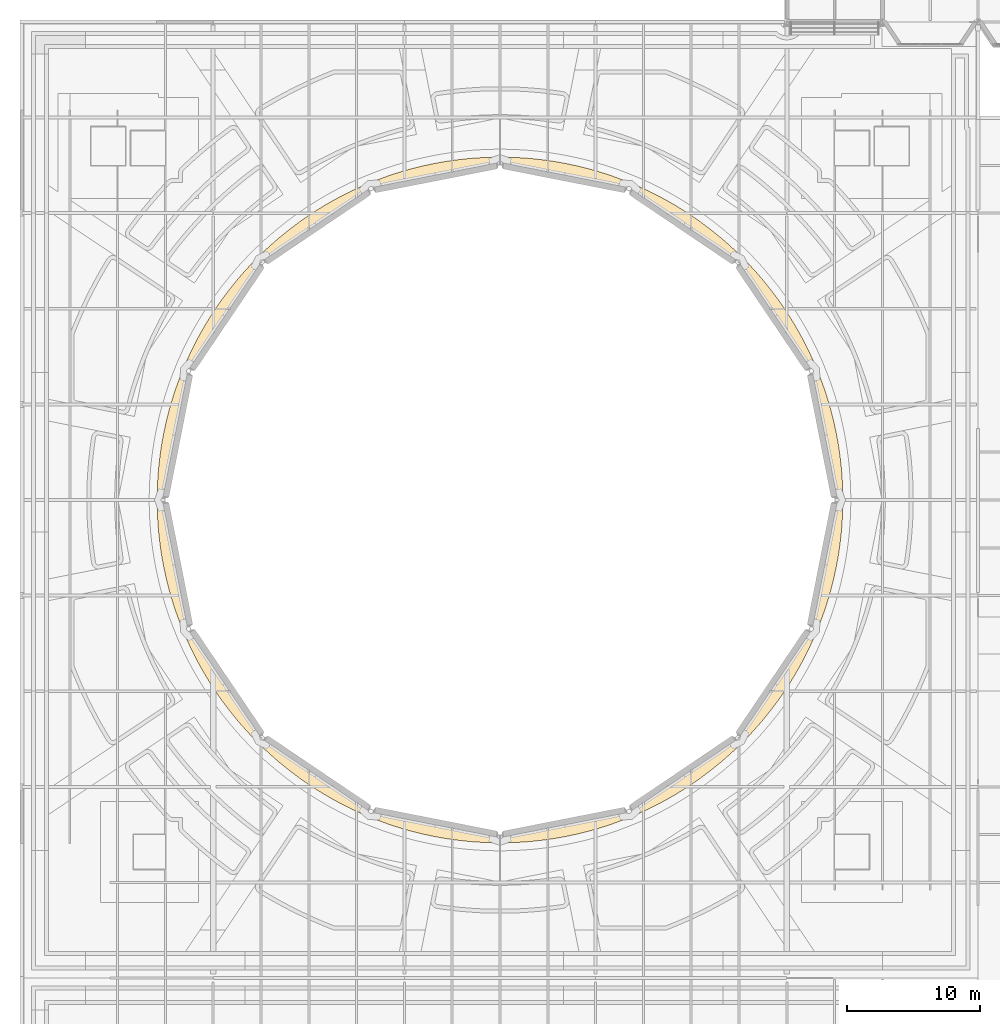
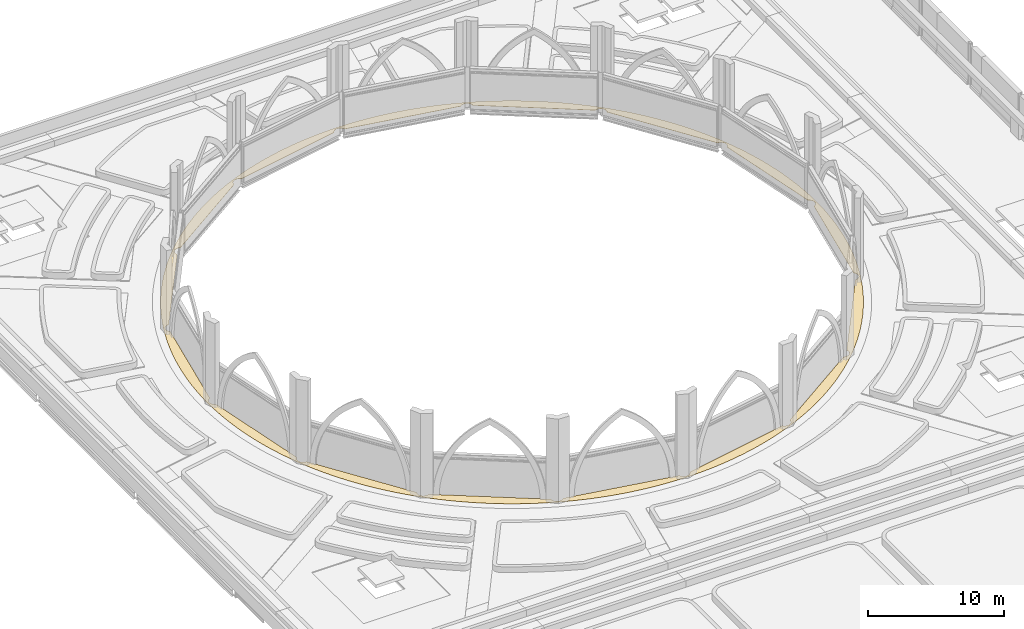
# One storey, part 90 of 110: 1 covering.
"""IFC4 building model written with IfcOpenShell, lengths in metres."""

from ifc_helpers import new_model, si_unit, direction, frame, origin, place, context, subcontext, project, spatial, polyline, outline, extrude, material, layer, layer_set, type_object, element, save


model = new_model("IFC4")

# Units and contexts
model_context = context("Model", 3, precision=1e-05, world=origin(), true_north=direction((0.0, 1.0)))
body_context = subcontext(model_context, "Body", "Model", "MODEL_VIEW")
ifc_project = project(units=[si_unit("LENGTHUNIT", "METRE"), si_unit("AREAUNIT", "SQUARE_METRE"), si_unit("VOLUMEUNIT", "CUBIC_METRE"), si_unit("PLANEANGLEUNIT", "RADIAN"), si_unit("MASSUNIT", "GRAM", prefix="KILO")], contexts=[model_context])

# Site, building, storey
site_placement = place(None, origin())
site = spatial("IfcSite", under=ifc_project, at=site_placement, CompositionType="ELEMENT")
building_placement = place(site_placement, origin())
building = spatial("IfcBuilding", under=site, at=building_placement, Name="Kupolbacken Congress Centre", CompositionType="ELEMENT")
storey_placement = place(building_placement, frame((0.0, 0.0, 18.0)))
storey = spatial("IfcBuildingStorey", under=building, at=storey_placement, Name="L05", CompositionType="ELEMENT", Elevation=18.0)

# Covering
ifc_material = material(Name="Limestone cladding", Category="masonry")
ifc_layer = layer(ifc_material, 0.02001953125)
ifc_layer_set = layer_set([ifc_layer], Name="Limestone cladding")
covering_type = type_object("IfcCoveringType", Name="GF1 limestone paving 20", PredefinedType="FLOORING", material=ifc_layer_set)
covering_placement = place(storey_placement, origin())
element("IfcCovering", 1, at=covering_placement, inside=storey, type_object=covering_type, Name="Roof walk, plenary wing roof", PredefinedType="FLOORING", context=body_context, shape_type="SweptSolid", body=[
    extrude(outline(polyline([(69.011962890625, 87.03369140625), (69.019775390625, 86.39990234375), (69.011962890625, 85.766357421875), (68.98876953125, 85.133056640625), (68.94970703125, 84.50048828125), (68.8955078125, 83.869140625), (68.82568359375, 83.239501953125), (68.740234375, 82.611328125), (68.6396484375, 81.98583984375), (68.523681640625, 81.36279296875), (68.392333984375, 80.742919921875), (68.24609375, 80.126220703125), (68.08447265625, 79.513427734375), (67.907958984375, 78.90478515625), (67.716552734375, 78.30078125), (67.510498046875, 77.70166015625), (67.289794921875, 77.107666015625), (67.054443359375, 76.519287109375), (66.8046875, 75.936767578125), (66.540771484375, 75.360595703125), (66.262939453125, 74.791015625), (65.970947265625, 74.228515625), (65.66552734375, 73.673583984375), (65.346435546875, 73.1259765625), (65.013916015625, 72.58642578125), (64.66845703125, 72.055419921875), (64.309814453125, 71.53271484375), (63.938720703125, 71.019287109375), (63.554931640625, 70.514892578125), (63.158935546875, 70.02001953125), (62.7509765625, 69.53515625), (62.331298828125, 69.060546875), (61.89990234375, 68.59619140625), (61.45751953125, 68.142578125), (61.00390625, 67.7001953125), (60.53955078125, 67.268798828125), (60.064697265625, 66.84912109375), (59.579833984375, 66.44091796875), (59.085205078125, 66.045166015625), (58.580810546875, 65.661376953125), (58.0673828125, 65.2900390625), (57.544677734375, 64.931640625), (57.013427734375, 64.586181640625), (56.47412109375, 64.253662109375), (55.926513671875, 63.9345703125), (55.371337890625, 63.62890625), (54.808837890625, 63.337158203125), (54.239501953125, 63.05908203125), (53.6630859375, 62.79541015625), (53.080810546875, 62.545654296875), (52.492431640625, 62.310302734375), (51.8984375, 62.089599609375), (51.29931640625, 61.88330078125), (50.695068359375, 61.69189453125), (50.08642578125, 61.515380859375), (49.4736328125, 61.35400390625), (48.857177734375, 61.20751953125), (48.2373046875, 61.076416015625), (47.6142578125, 60.960205078125), (46.988525390625, 60.859619140625), (46.360595703125, 60.7744140625), (45.730712890625, 60.70458984375), (45.099365234375, 60.650146484375), (44.466796875, 60.611328125), (43.83349609375, 60.587890625), (43.199951171875, 60.580078125), (42.56640625, 60.587890625), (41.93310546875, 60.611328125), (41.300537109375, 60.650146484375), (40.669189453125, 60.70458984375), (40.039306640625, 60.7744140625), (39.411376953125, 60.859619140625), (38.785888671875, 60.960205078125), (38.162841796875, 61.076416015625), (37.54296875, 61.20751953125), (36.92626953125, 61.35400390625), (36.3134765625, 61.515380859375), (35.704833984375, 61.69189453125), (35.100830078125, 61.88330078125), (34.501708984375, 62.089599609375), (33.90771484375, 62.310302734375), (33.319091796875, 62.545654296875), (32.73681640625, 62.79541015625), (32.16064453125, 63.05908203125), (31.591064453125, 63.337158203125), (31.028564453125, 63.62890625), (30.473388671875, 63.9345703125), (29.926025390625, 64.253662109375), (29.386474609375, 64.586181640625), (28.855224609375, 64.931640625), (28.332763671875, 65.2900390625), (27.819091796875, 65.661376953125), (27.314697265625, 66.045166015625), (26.820068359375, 66.44091796875), (26.335205078125, 66.84912109375), (25.860595703125, 67.268798828125), (25.396240234375, 67.7001953125), (24.942626953125, 68.142578125), (24.5, 68.59619140625), (24.06884765625, 69.060546875), (23.64892578125, 69.53515625), (23.240966796875, 70.02001953125), (22.84521484375, 70.514892578125), (22.461181640625, 71.019287109375), (22.090087890625, 71.53271484375), (21.731689453125, 72.055419921875), (21.385986328125, 72.58642578125), (21.0537109375, 73.1259765625), (20.734619140625, 73.673583984375), (20.428955078125, 74.228515625), (20.13720703125, 74.791015625), (19.859130859375, 75.360595703125), (19.59521484375, 75.936767578125), (19.345703125, 76.519287109375), (19.1103515625, 77.107666015625), (18.889404296875, 77.70166015625), (18.683349609375, 78.30078125), (18.491943359375, 78.90478515625), (18.3154296875, 79.513427734375), (18.154052734375, 80.126220703125), (18.007568359375, 80.742919921875), (17.876220703125, 81.36279296875), (17.76025390625, 81.98583984375), (17.65966796875, 82.611328125), (17.574462890625, 83.239501953125), (17.50439453125, 83.869140625), (17.4501953125, 84.50048828125), (17.411376953125, 85.133056640625), (17.387939453125, 85.766357421875), (17.380126953125, 86.39990234375), (17.387939453125, 87.03369140625), (17.411376953125, 87.6669921875), (17.4501953125, 88.29931640625), (17.50439453125, 88.930908203125), (17.574462890625, 89.560546875), (17.65966796875, 90.188720703125), (17.76025390625, 90.814208984375), (17.876220703125, 91.437255859375), (18.007568359375, 92.05712890625), (18.154052734375, 92.673583984375), (18.3154296875, 93.28662109375), (18.491943359375, 93.89501953125), (18.683349609375, 94.499267578125), (18.889404296875, 95.098388671875), (19.1103515625, 95.6923828125), (19.345703125, 96.28076171875), (19.59521484375, 96.86328125), (19.859130859375, 97.439453125), (20.13720703125, 98.0087890625), (20.428955078125, 98.5712890625), (20.734619140625, 99.12646484375), (21.0537109375, 99.674072265625), (21.385986328125, 100.21337890625), (21.731689453125, 100.74462890625), (22.090087890625, 101.267333984375), (22.461181640625, 101.78076171875), (22.84521484375, 102.28515625), (23.240966796875, 102.77978515625), (23.64892578125, 103.264892578125), (24.06884765625, 103.739501953125), (24.5, 104.203857421875), (24.942626953125, 104.657470703125), (25.396240234375, 105.099853515625), (25.860595703125, 105.53125), (26.335205078125, 105.950927734375), (26.820068359375, 106.35888671875), (27.314697265625, 106.7548828125), (27.819091796875, 107.138671875), (28.332763671875, 107.510009765625), (28.855224609375, 107.868408203125), (29.386474609375, 108.2138671875), (29.926025390625, 108.54638671875), (30.473388671875, 108.865478515625), (31.028564453125, 109.1708984375), (31.591064453125, 109.462890625), (32.16064453125, 109.74072265625), (32.73681640625, 110.004638671875), (33.319091796875, 110.25439453125), (33.90771484375, 110.48974609375), (34.501708984375, 110.71044921875), (35.100830078125, 110.91650390625), (35.704833984375, 111.10791015625), (36.3134765625, 111.284423828125), (36.92626953125, 111.446044921875), (37.54296875, 111.59228515625), (38.162841796875, 111.7236328125), (38.785888671875, 111.839599609375), (39.411376953125, 111.940185546875), (40.039306640625, 112.025634765625), (40.669189453125, 112.095458984375), (41.300537109375, 112.14990234375), (41.93310546875, 112.188720703125), (42.56640625, 112.2119140625), (43.199951171875, 112.2197265625), (43.83349609375, 112.2119140625), (44.466796875, 112.188720703125), (45.099365234375, 112.14990234375), (45.730712890625, 112.095458984375), (46.360595703125, 112.025634765625), (46.988525390625, 111.940185546875), (47.6142578125, 111.839599609375), (48.2373046875, 111.7236328125), (48.857177734375, 111.59228515625), (49.4736328125, 111.446044921875), (50.08642578125, 111.284423828125), (50.695068359375, 111.10791015625), (51.29931640625, 110.91650390625), (51.8984375, 110.71044921875), (52.492431640625, 110.48974609375), (53.080810546875, 110.25439453125), (53.6630859375, 110.004638671875), (54.239501953125, 109.74072265625), (54.808837890625, 109.462890625), (55.371337890625, 109.1708984375), (55.926513671875, 108.865478515625), (56.47412109375, 108.54638671875), (57.013427734375, 108.2138671875), (57.544677734375, 107.868408203125), (58.0673828125, 107.510009765625), (58.580810546875, 107.138671875), (59.085205078125, 106.7548828125), (59.579833984375, 106.35888671875), (60.064697265625, 105.950927734375), (60.53955078125, 105.53125), (61.00390625, 105.099853515625), (61.45751953125, 104.657470703125), (61.89990234375, 104.203857421875), (62.331298828125, 103.739501953125), (62.7509765625, 103.264892578125), (63.158935546875, 102.77978515625), (63.554931640625, 102.28515625), (63.938720703125, 101.78076171875), (64.309814453125, 101.267333984375), (64.66845703125, 100.74462890625), (65.013916015625, 100.21337890625), (65.346435546875, 99.674072265625), (65.66552734375, 99.12646484375), (65.970947265625, 98.5712890625), (66.262939453125, 98.0087890625), (66.540771484375, 97.439453125), (66.8046875, 96.86328125), (67.054443359375, 96.28076171875), (67.289794921875, 95.6923828125), (67.510498046875, 95.098388671875), (67.716552734375, 94.499267578125), (67.907958984375, 93.89501953125), (68.08447265625, 93.28662109375), (68.24609375, 92.673583984375), (68.392333984375, 92.05712890625), (68.523681640625, 91.437255859375), (68.6396484375, 90.814208984375), (68.740234375, 90.188720703125), (68.82568359375, 89.560546875), (68.8955078125, 88.930908203125), (68.94970703125, 88.29931640625), (68.98876953125, 87.6669921875), (69.011962890625, 87.03369140625)]), holes=[polyline([(25.599365234375, 68.163818359375), (33.071044921875, 63.12158203125), (33.070068359375, 63.10009765625), (33.072265625, 63.052978515625), (33.0791015625, 63.00634765625), (33.090576171875, 62.960693359375), (33.1064453125, 62.916259765625), (33.126708984375, 62.873779296875), (33.15087890625, 62.833251953125), (33.178955078125, 62.79541015625), (33.210693359375, 62.760498046875), (33.24560546875, 62.72900390625), (33.283203125, 62.700927734375), (33.32373046875, 62.676513671875), (33.3662109375, 62.656494140625), (33.41064453125, 62.640625), (33.456298828125, 62.629150390625), (33.5029296875, 62.622314453125), (33.550048828125, 62.6201171875), (33.59716796875, 62.622314453125), (33.643798828125, 62.629150390625), (33.689208984375, 62.640625), (33.733642578125, 62.656494140625), (33.7763671875, 62.676513671875), (33.816650390625, 62.700927734375), (33.8544921875, 62.72900390625), (33.889404296875, 62.760498046875), (33.903076171875, 62.775634765625), (42.750244140625, 61.03369140625), (42.756591796875, 61.016357421875), (42.776611328125, 60.9736328125), (42.80078125, 60.933349609375), (42.828857421875, 60.8955078125), (42.860595703125, 60.860595703125), (42.8955078125, 60.828857421875), (42.933349609375, 60.80078125), (42.9736328125, 60.776611328125), (43.016357421875, 60.756591796875), (43.060791015625, 60.740478515625), (43.106201171875, 60.729248046875), (43.15283203125, 60.722412109375), (43.199951171875, 60.719970703125), (43.2470703125, 60.722412109375), (43.293701171875, 60.729248046875), (43.33935546875, 60.740478515625), (43.3837890625, 60.756591796875), (43.42626953125, 60.776611328125), (43.466796875, 60.80078125), (43.50439453125, 60.828857421875), (43.539306640625, 60.860595703125), (43.571044921875, 60.8955078125), (43.59912109375, 60.933349609375), (43.623291015625, 60.9736328125), (43.6435546875, 61.016357421875), (43.649658203125, 61.03369140625), (52.496826171875, 62.775634765625), (52.510498046875, 62.760498046875), (52.54541015625, 62.72900390625), (52.583251953125, 62.700927734375), (52.623779296875, 62.676513671875), (52.666259765625, 62.656494140625), (52.710693359375, 62.640625), (52.75634765625, 62.629150390625), (52.802978515625, 62.622314453125), (52.85009765625, 62.6201171875), (52.897216796875, 62.622314453125), (52.943603515625, 62.629150390625), (52.9892578125, 62.640625), (53.03369140625, 62.656494140625), (53.076416015625, 62.676513671875), (53.11669921875, 62.700927734375), (53.154541015625, 62.72900390625), (53.189453125, 62.760498046875), (53.22119140625, 62.79541015625), (53.2490234375, 62.833251953125), (53.2734375, 62.873779296875), (53.29345703125, 62.916259765625), (53.309326171875, 62.960693359375), (53.32080078125, 63.00634765625), (53.32763671875, 63.052978515625), (53.330078125, 63.10009765625), (53.3291015625, 63.12158203125), (60.80078125, 68.163818359375), (60.81640625, 68.156494140625), (60.860595703125, 68.140625), (60.90625, 68.129150390625), (60.952880859375, 68.122314453125), (61.0, 68.1201171875), (61.047119140625, 68.122314453125), (61.09375, 68.129150390625), (61.139404296875, 68.140625), (61.18359375, 68.156494140625), (61.226318359375, 68.176513671875), (61.2666015625, 68.200927734375), (61.304443359375, 68.22900390625), (61.33935546875, 68.260498046875), (61.37109375, 68.29541015625), (61.399169921875, 68.333251953125), (61.42333984375, 68.373779296875), (61.443603515625, 68.416259765625), (61.45947265625, 68.460693359375), (61.470703125, 68.50634765625), (61.477783203125, 68.552978515625), (61.47998046875, 68.60009765625), (61.477783203125, 68.647216796875), (61.470703125, 68.693603515625), (61.45947265625, 68.7392578125), (61.443603515625, 68.78369140625), (61.43603515625, 68.79931640625), (66.478515625, 76.27099609375), (66.5, 76.27001953125), (66.547119140625, 76.272216796875), (66.59375, 76.279296875), (66.639404296875, 76.29052734375), (66.68359375, 76.306396484375), (66.726318359375, 76.32666015625), (66.7666015625, 76.350830078125), (66.804443359375, 76.37890625), (66.83935546875, 76.41064453125), (66.87109375, 76.445556640625), (66.899169921875, 76.4833984375), (66.92333984375, 76.523681640625), (66.943603515625, 76.56640625), (66.95947265625, 76.610595703125), (66.970703125, 76.65625), (66.977783203125, 76.702880859375), (66.97998046875, 76.75), (66.977783203125, 76.797119140625), (66.970703125, 76.84375), (66.95947265625, 76.889404296875), (66.943603515625, 76.93359375), (66.92333984375, 76.976318359375), (66.899169921875, 77.0166015625), (66.87109375, 77.054443359375), (66.83935546875, 77.08935546875), (66.82421875, 77.10302734375), (68.566162109375, 85.9501953125), (68.583740234375, 85.95654296875), (68.626220703125, 85.9765625), (68.666748046875, 86.0009765625), (68.70458984375, 86.02880859375), (68.739501953125, 86.060546875), (68.77099609375, 86.095458984375), (68.799072265625, 86.13330078125), (68.823486328125, 86.173583984375), (68.843505859375, 86.21630859375), (68.859375, 86.2607421875), (68.870849609375, 86.306396484375), (68.877685546875, 86.352783203125), (68.8798828125, 86.39990234375), (68.877685546875, 86.447021484375), (68.870849609375, 86.49365234375), (68.859375, 86.539306640625), (68.843505859375, 86.583740234375), (68.823486328125, 86.626220703125), (68.799072265625, 86.666748046875), (68.77099609375, 86.70458984375), (68.739501953125, 86.739501953125), (68.70458984375, 86.77099609375), (68.666748046875, 86.799072265625), (68.626220703125, 86.823486328125), (68.583740234375, 86.843505859375), (68.566162109375, 86.849609375), (66.82421875, 95.697021484375), (66.83935546875, 95.710693359375), (66.87109375, 95.74560546875), (66.899169921875, 95.783203125), (66.92333984375, 95.82373046875), (66.943603515625, 95.8662109375), (66.95947265625, 95.91064453125), (66.970703125, 95.956298828125), (66.977783203125, 96.0029296875), (66.97998046875, 96.050048828125), (66.977783203125, 96.09716796875), (66.970703125, 96.143798828125), (66.95947265625, 96.189208984375), (66.943603515625, 96.233642578125), (66.92333984375, 96.2763671875), (66.899169921875, 96.316650390625), (66.87109375, 96.3544921875), (66.83935546875, 96.389404296875), (66.804443359375, 96.421142578125), (66.7666015625, 96.44921875), (66.726318359375, 96.473388671875), (66.68359375, 96.493408203125), (66.639404296875, 96.509521484375), (66.59375, 96.520751953125), (66.547119140625, 96.527587890625), (66.5, 96.530029296875), (66.478515625, 96.529052734375), (61.43603515625, 104.000732421875), (61.443603515625, 104.016357421875), (61.45947265625, 104.060791015625), (61.470703125, 104.106201171875), (61.477783203125, 104.15283203125), (61.47998046875, 104.199951171875), (61.477783203125, 104.2470703125), (61.470703125, 104.293701171875), (61.45947265625, 104.33935546875), (61.443603515625, 104.3837890625), (61.42333984375, 104.42626953125), (61.399169921875, 104.466796875), (61.37109375, 104.50439453125), (61.33935546875, 104.539306640625), (61.304443359375, 104.571044921875), (61.2666015625, 104.59912109375), (61.226318359375, 104.623291015625), (61.18359375, 104.6435546875), (61.139404296875, 104.659423828125), (61.09375, 104.6708984375), (61.047119140625, 104.677734375), (61.0, 104.679931640625), (60.952880859375, 104.677734375), (60.90625, 104.6708984375), (60.860595703125, 104.659423828125), (60.81640625, 104.6435546875), (60.80078125, 104.635986328125), (53.3291015625, 109.678466796875), (53.330078125, 109.699951171875), (53.32763671875, 109.7470703125), (53.32080078125, 109.793701171875), (53.309326171875, 109.83935546875), (53.29345703125, 109.8837890625), (53.2734375, 109.92626953125), (53.2490234375, 109.966796875), (53.22119140625, 110.00439453125), (53.189453125, 110.039306640625), (53.154541015625, 110.071044921875), (53.11669921875, 110.09912109375), (53.076416015625, 110.123291015625), (53.03369140625, 110.1435546875), (52.9892578125, 110.159423828125), (52.943603515625, 110.1708984375), (52.897216796875, 110.177734375), (52.85009765625, 110.179931640625), (52.802978515625, 110.177734375), (52.75634765625, 110.1708984375), (52.710693359375, 110.159423828125), (52.666259765625, 110.1435546875), (52.623779296875, 110.123291015625), (52.583251953125, 110.09912109375), (52.54541015625, 110.071044921875), (52.510498046875, 110.039306640625), (52.496826171875, 110.0244140625), (43.649658203125, 111.76611328125), (43.6435546875, 111.78369140625), (43.623291015625, 111.826416015625), (43.59912109375, 111.86669921875), (43.571044921875, 111.904541015625), (43.539306640625, 111.939453125), (43.50439453125, 111.97119140625), (43.466796875, 111.9990234375), (43.42626953125, 112.0234375), (43.3837890625, 112.04345703125), (43.33935546875, 112.059326171875), (43.293701171875, 112.07080078125), (43.2470703125, 112.07763671875), (43.199951171875, 112.080078125), (43.15283203125, 112.07763671875), (43.106201171875, 112.07080078125), (43.060791015625, 112.059326171875), (43.016357421875, 112.04345703125), (42.9736328125, 112.0234375), (42.933349609375, 111.9990234375), (42.8955078125, 111.97119140625), (42.860595703125, 111.939453125), (42.828857421875, 111.904541015625), (42.80078125, 111.86669921875), (42.776611328125, 111.826416015625), (42.756591796875, 111.78369140625), (42.750244140625, 111.76611328125), (33.903076171875, 110.0244140625), (33.889404296875, 110.039306640625), (33.8544921875, 110.071044921875), (33.816650390625, 110.09912109375), (33.7763671875, 110.123291015625), (33.733642578125, 110.1435546875), (33.689208984375, 110.159423828125), (33.643798828125, 110.1708984375), (33.59716796875, 110.177734375), (33.550048828125, 110.179931640625), (33.5029296875, 110.177734375), (33.456298828125, 110.1708984375), (33.41064453125, 110.159423828125), (33.3662109375, 110.1435546875), (33.32373046875, 110.123291015625), (33.283203125, 110.09912109375), (33.24560546875, 110.071044921875), (33.210693359375, 110.039306640625), (33.178955078125, 110.00439453125), (33.15087890625, 109.966796875), (33.126708984375, 109.92626953125), (33.1064453125, 109.8837890625), (33.090576171875, 109.83935546875), (33.0791015625, 109.793701171875), (33.072265625, 109.7470703125), (33.070068359375, 109.699951171875), (33.071044921875, 109.678466796875), (25.599365234375, 104.635986328125), (25.583740234375, 104.6435546875), (25.539306640625, 104.659423828125), (25.49365234375, 104.6708984375), (25.447021484375, 104.677734375), (25.39990234375, 104.679931640625), (25.352783203125, 104.677734375), (25.306396484375, 104.6708984375), (25.2607421875, 104.659423828125), (25.21630859375, 104.6435546875), (25.173583984375, 104.623291015625), (25.13330078125, 104.59912109375), (25.095458984375, 104.571044921875), (25.060546875, 104.539306640625), (25.02880859375, 104.50439453125), (25.0009765625, 104.466796875), (24.9765625, 104.42626953125), (24.95654296875, 104.3837890625), (24.940673828125, 104.33935546875), (24.92919921875, 104.293701171875), (24.92236328125, 104.2470703125), (24.919921875, 104.199951171875), (24.92236328125, 104.15283203125), (24.92919921875, 104.106201171875), (24.940673828125, 104.060791015625), (24.95654296875, 104.016357421875), (24.9638671875, 104.000732421875), (19.921630859375, 96.529052734375), (19.89990234375, 96.530029296875), (19.852783203125, 96.527587890625), (19.806396484375, 96.520751953125), (19.7607421875, 96.509521484375), (19.71630859375, 96.493408203125), (19.673583984375, 96.473388671875), (19.63330078125, 96.44921875), (19.595458984375, 96.421142578125), (19.560546875, 96.389404296875), (19.52880859375, 96.3544921875), (19.5009765625, 96.316650390625), (19.4765625, 96.2763671875), (19.45654296875, 96.233642578125), (19.440673828125, 96.189208984375), (19.42919921875, 96.143798828125), (19.42236328125, 96.09716796875), (19.419921875, 96.050048828125), (19.42236328125, 96.0029296875), (19.42919921875, 95.956298828125), (19.440673828125, 95.91064453125), (19.45654296875, 95.8662109375), (19.4765625, 95.82373046875), (19.5009765625, 95.783203125), (19.52880859375, 95.74560546875), (19.560546875, 95.710693359375), (19.57568359375, 95.697021484375), (17.833740234375, 86.849609375), (17.81640625, 86.843505859375), (17.773681640625, 86.823486328125), (17.7333984375, 86.799072265625), (17.695556640625, 86.77099609375), (17.66064453125, 86.739501953125), (17.62890625, 86.70458984375), (17.600830078125, 86.666748046875), (17.57666015625, 86.626220703125), (17.556396484375, 86.583740234375), (17.54052734375, 86.539306640625), (17.529296875, 86.49365234375), (17.522216796875, 86.447021484375), (17.52001953125, 86.39990234375), (17.522216796875, 86.352783203125), (17.529296875, 86.306396484375), (17.54052734375, 86.2607421875), (17.556396484375, 86.21630859375), (17.57666015625, 86.173583984375), (17.600830078125, 86.13330078125), (17.62890625, 86.095458984375), (17.66064453125, 86.060546875), (17.695556640625, 86.02880859375), (17.7333984375, 86.0009765625), (17.773681640625, 85.9765625), (17.81640625, 85.95654296875), (17.833740234375, 85.9501953125), (19.57568359375, 77.10302734375), (19.560546875, 77.08935546875), (19.52880859375, 77.054443359375), (19.5009765625, 77.0166015625), (19.4765625, 76.976318359375), (19.45654296875, 76.93359375), (19.440673828125, 76.889404296875), (19.42919921875, 76.84375), (19.42236328125, 76.797119140625), (19.419921875, 76.75), (19.42236328125, 76.702880859375), (19.42919921875, 76.65625), (19.440673828125, 76.610595703125), (19.45654296875, 76.56640625), (19.4765625, 76.523681640625), (19.5009765625, 76.4833984375), (19.52880859375, 76.445556640625), (19.560546875, 76.41064453125), (19.595458984375, 76.37890625), (19.63330078125, 76.350830078125), (19.673583984375, 76.32666015625), (19.71630859375, 76.306396484375), (19.7607421875, 76.29052734375), (19.806396484375, 76.279296875), (19.852783203125, 76.272216796875), (19.89990234375, 76.27001953125), (19.921630859375, 76.27099609375), (24.9638671875, 68.79931640625), (24.95654296875, 68.78369140625), (24.940673828125, 68.7392578125), (24.92919921875, 68.693603515625), (24.92236328125, 68.647216796875), (24.919921875, 68.60009765625), (24.92236328125, 68.552978515625), (24.92919921875, 68.50634765625), (24.940673828125, 68.460693359375), (24.95654296875, 68.416259765625), (24.9765625, 68.373779296875), (25.0009765625, 68.333251953125), (25.02880859375, 68.29541015625), (25.060546875, 68.260498046875), (25.095458984375, 68.22900390625), (25.13330078125, 68.200927734375), (25.173583984375, 68.176513671875), (25.21630859375, 68.156494140625), (25.2607421875, 68.140625), (25.306396484375, 68.129150390625), (25.352783203125, 68.122314453125), (25.39990234375, 68.1201171875), (25.447021484375, 68.122314453125), (25.49365234375, 68.129150390625), (25.539306640625, 68.140625), (25.583740234375, 68.156494140625), (25.599365234375, 68.163818359375)])]), origin(), (0.0, 0.0, 1.0), 0.02001953125),
])

save(model, "model.ifc")
